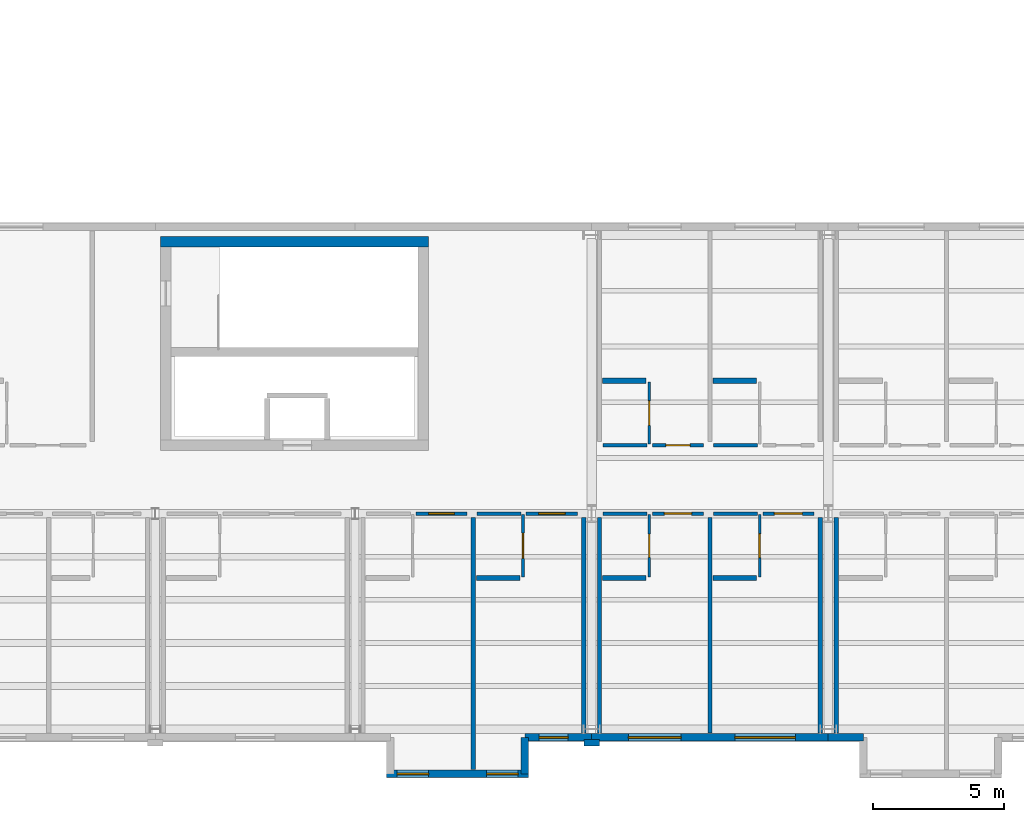
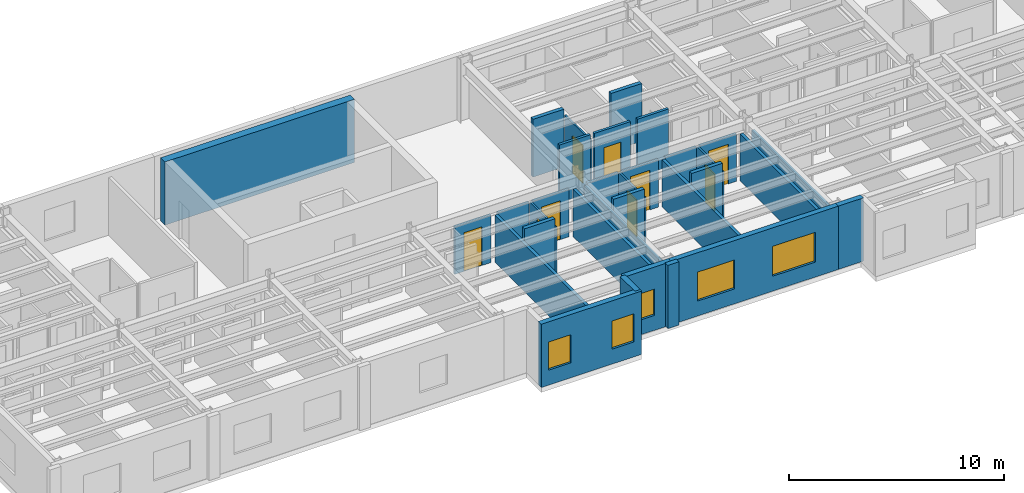
# One storey, part 13 of 27: 32 walls, 9 doors, 5 windows, 14 openings.
"""IFC4 building model written with IfcOpenShell, lengths in metres."""

from ifc_helpers import new_model, si_unit, direction, frame, frame_2d, origin, place, context, subcontext, project, spatial, rectangle, extrude, material, layer, layer_set, type_object, element, fill, save


model = new_model("IFC4")

# Units and contexts
model_context = context("Model", 3, precision=1e-05, world=origin(), true_north=direction((0.0, 1.0)))
body_context = subcontext(model_context, "Body", "Model", "MODEL_VIEW")
ifc_project = project(units=[si_unit("LENGTHUNIT", "METRE"), si_unit("AREAUNIT", "SQUARE_METRE"), si_unit("VOLUMEUNIT", "CUBIC_METRE"), si_unit("PLANEANGLEUNIT", "RADIAN"), si_unit("MASSUNIT", "GRAM", prefix="KILO")], contexts=[model_context])

# Site, building, storey
site_placement = place(None, origin())
site = spatial("IfcSite", under=ifc_project, at=site_placement, CompositionType="ELEMENT")
building_placement = place(site_placement, origin())
building = spatial("IfcBuilding", under=site, at=building_placement, Name="Sollismere Congress Hotel", CompositionType="ELEMENT")
storey_placement = place(building_placement, frame((0.0, 0.0, 27.0)))
storey = spatial("IfcBuildingStorey", under=building, at=storey_placement, Name="L06", CompositionType="ELEMENT", Elevation=27.0)

# Wall, opening, window
ifc_material_1 = material(Name="Colorado Buff Sandstone Rainscreen on Insulated Backup", Category="masonry")
ifc_layer_1 = layer(ifc_material_1, 0.284912109375, Name="Colorado Buff Sandstone Rainscreen on Insulated Backup")
ifc_layer_set_1 = layer_set([ifc_layer_1], Name="Colorado Buff Sandstone Rainscreen on Insulated Backup")
wall_type_1 = type_object("IfcWallType", Name="WL-EXT285", PredefinedType="STANDARD", material=ifc_layer_set_1)
wall_1_placement = place(storey_placement, frame((64.4599609375, -0.31005859375, 0.0), z_axis=(0.0, 0.0, 1.0), x_axis=(1.0, 0.0, 0.0)))
wall_1 = element("IfcWall", 1, at=wall_1_placement, inside=storey, type_object=wall_type_1, Name="Exterior wall EW-L06-658", PredefinedType="STANDARD", context=body_context, shape_type="SweptSolid", body=[
    extrude(rectangle(XDim=2.5400390625, YDim=0.284912109375, at=frame_2d((1.27001953125, 0.0))), origin(), (0.0, 0.0, 1.0), 3.60009765625),
])
opening_1_placement = place(wall_1_placement, frame((0.544921875, 0.0, 0.85009765625)))
opening_1 = element("IfcOpeningElement", 2, at=opening_1_placement, cuts=wall_1, Name="Opening W-L06-488", PredefinedType="OPENING", context=body_context, shape_type="SweptSolid", body=[
    extrude(rectangle(XDim=1.10009765625, YDim=1.5, at=frame_2d((0.550048828125, 0.75))), frame((0.0, 0.15234375, 0.0), z_axis=(0.0, -1.0, 0.0), x_axis=(1.0, 0.0, 0.0)), (0.0, 0.0, 1.0), 0.304931640625),
])
ifc_material_2 = material(Name="Thermally Broken Bronze Aluminum & Low-E Glass", Category="aluminium")
window_type_1 = type_object("IfcWindowType", Name="WN-P110x150", PartitioningType="SINGLE_PANEL", PredefinedType="WINDOW", material=ifc_material_2)
window_1_placement = place(opening_1_placement, origin())
window_1 = element("IfcWindow", 3, at=window_1_placement, inside=storey, type_object=window_type_1, Name="WIN-W-L06-488", OverallHeight=1.5, OverallWidth=1.10009765625, PartitioningType="SINGLE_PANEL", PredefinedType="WINDOW", context=body_context, shape_type="SweptSolid", body=[
    extrude(rectangle(XDim=1.10009765625, YDim=1.5, at=frame_2d((0.550048828125, 0.75))), frame((0.0, 0.030029296875, 0.0), z_axis=(0.0, -1.0, 0.0), x_axis=(1.0, 0.0, 0.0)), (0.0, 0.0, 1.0), 0.06005859375),
])
fill(opening_1, window_1)

# Wall, openings, windows
wall_2_placement = place(storey_placement, frame((59.199951171875, -1.699951171875, 0.0), z_axis=(0.0, 0.0, 1.0), x_axis=(1.0, 0.0, 0.0)))
wall_2 = element("IfcWall", 4, at=wall_2_placement, inside=storey, type_object=wall_type_1, Name="Exterior wall EW-L06-659", PredefinedType="STANDARD", context=body_context, shape_type="SweptSolid", body=[
    extrude(rectangle(XDim=5.400146484375, YDim=0.284912109375, at=frame_2d((2.7001953125, 0.0))), origin(), (0.0, 0.0, 1.0), 3.60009765625),
])
opening_2_placement = place(wall_2_placement, frame((0.39990234375, 0.0, 0.85009765625)))
opening_2 = element("IfcOpeningElement", 5, at=opening_2_placement, cuts=wall_2, Name="Opening W-L06-489", PredefinedType="OPENING", context=body_context, shape_type="SweptSolid", body=[
    extrude(rectangle(XDim=1.199951171875, YDim=1.60009765625, at=frame_2d((0.60009765625, 0.800048828125))), frame((0.0, 0.15234375, 0.0), z_axis=(0.0, -1.0, 0.0), x_axis=(1.0, 0.0, 0.0)), (0.0, 0.0, 1.0), 0.304931640625),
])
opening_3_placement = place(wall_2_placement, frame((3.800048828125, 0.0, 0.85009765625)))
opening_3 = element("IfcOpeningElement", 6, at=opening_3_placement, cuts=wall_2, Name="Opening W-L06-490", PredefinedType="OPENING", context=body_context, shape_type="SweptSolid", body=[
    extrude(rectangle(XDim=1.199951171875, YDim=1.60009765625, at=frame_2d((0.60009765625, 0.800048828125))), frame((0.0, 0.15234375, 0.0), z_axis=(0.0, -1.0, 0.0), x_axis=(1.0, 0.0, 0.0)), (0.0, 0.0, 1.0), 0.304931640625),
])
window_type_2 = type_object("IfcWindowType", Name="WN-P120x160", PartitioningType="SINGLE_PANEL", PredefinedType="WINDOW", material=ifc_material_2)
window_2_placement = place(opening_2_placement, origin())
window_2 = element("IfcWindow", 7, at=window_2_placement, inside=storey, type_object=window_type_2, Name="WIN-W-L06-489", OverallHeight=1.60009765625, OverallWidth=1.199951171875, PartitioningType="SINGLE_PANEL", PredefinedType="WINDOW", context=body_context, shape_type="SweptSolid", body=[
    extrude(rectangle(XDim=1.199951171875, YDim=1.60009765625, at=frame_2d((0.60009765625, 0.800048828125))), frame((0.0, 0.030029296875, 0.0), z_axis=(0.0, -1.0, 0.0), x_axis=(1.0, 0.0, 0.0)), (0.0, 0.0, 1.0), 0.06005859375),
])
fill(opening_2, window_2)
window_3_placement = place(opening_3_placement, origin())
window_3 = element("IfcWindow", 8, at=window_3_placement, inside=storey, type_object=window_type_2, Name="WIN-W-L06-490", OverallHeight=1.60009765625, OverallWidth=1.199951171875, PartitioningType="SINGLE_PANEL", PredefinedType="WINDOW", context=body_context, shape_type="SweptSolid", body=[
    extrude(rectangle(XDim=1.199951171875, YDim=1.60009765625, at=frame_2d((0.60009765625, 0.800048828125))), frame((0.0, 0.030029296875, 0.0), z_axis=(0.0, -1.0, 0.0), x_axis=(1.0, 0.0, 0.0)), (0.0, 0.0, 1.0), 0.06005859375),
])
fill(opening_3, window_3)

# Wall
wall_3_placement = place(storey_placement, frame((64.4599609375, -1.699951171875, 0.0), z_axis=(0.0, 0.0, 1.0), x_axis=(0.0, 1.0, 0.0)))
element("IfcWall", 9, at=wall_3_placement, inside=storey, type_object=wall_type_1, Name="Exterior wall EW-L06-661", PredefinedType="STANDARD", context=body_context, shape_type="SweptSolid", body=[
    extrude(rectangle(XDim=1.389892578125, YDim=0.284912109375, at=frame_2d((0.69482421875, 0.0))), origin(), (0.0, 0.0, 1.0), 3.60009765625),
])

# Wall, openings, windows
wall_4_placement = place(storey_placement, frame((67.0, -0.31005859375, 0.0), z_axis=(0.0, 0.0, 1.0), x_axis=(1.0, 0.0, 0.0)))
wall_4 = element("IfcWall", 10, at=wall_4_placement, inside=storey, type_object=wall_type_1, Name="Exterior wall EW-L06-662", PredefinedType="STANDARD", context=body_context, shape_type="SweptSolid", body=[
    extrude(rectangle(XDim=9.0, YDim=0.284912109375, at=frame_2d((4.5, 0.0))), origin(), (0.0, 0.0, 1.0), 3.60009765625),
])
opening_4_placement = place(wall_4_placement, frame((1.39990234375, 0.0, 0.85009765625)))
opening_4 = element("IfcOpeningElement", 11, at=opening_4_placement, cuts=wall_4, Name="Opening W-L06-491", PredefinedType="OPENING", context=body_context, shape_type="SweptSolid", body=[
    extrude(rectangle(XDim=2.0, YDim=1.64990234375, at=frame_2d((1.0, 0.824951171875))), frame((0.0, 0.15234375, 0.0), z_axis=(0.0, -1.0, 0.0), x_axis=(1.0, 0.0, 0.0)), (0.0, 0.0, 1.0), 0.304931640625),
])
opening_5_placement = place(wall_4_placement, frame((5.449951171875, 0.0, 0.85009765625)))
opening_5 = element("IfcOpeningElement", 12, at=opening_5_placement, cuts=wall_4, Name="Opening W-L06-492", PredefinedType="OPENING", context=body_context, shape_type="SweptSolid", body=[
    extrude(rectangle(XDim=2.300048828125, YDim=1.699951171875, at=frame_2d((1.14990234375, 0.85009765625))), frame((0.0, 0.15234375, 0.0), z_axis=(0.0, -1.0, 0.0), x_axis=(1.0, 0.0, 0.0)), (0.0, 0.0, 1.0), 0.304931640625),
])
window_type_3 = type_object("IfcWindowType", Name="WN-P200x165", PartitioningType="SINGLE_PANEL", PredefinedType="WINDOW", material=ifc_material_2)
window_4_placement = place(opening_4_placement, origin())
window_4 = element("IfcWindow", 13, at=window_4_placement, inside=storey, type_object=window_type_3, Name="WIN-W-L06-491", OverallHeight=1.64990234375, OverallWidth=2.0, PartitioningType="SINGLE_PANEL", PredefinedType="WINDOW", context=body_context, shape_type="SweptSolid", body=[
    extrude(rectangle(XDim=2.0, YDim=1.64990234375, at=frame_2d((1.0, 0.824951171875))), frame((0.0, 0.030029296875, 0.0), z_axis=(0.0, -1.0, 0.0), x_axis=(1.0, 0.0, 0.0)), (0.0, 0.0, 1.0), 0.06005859375),
])
fill(opening_4, window_4)
window_type_4 = type_object("IfcWindowType", Name="WN-P230x170", PartitioningType="SINGLE_PANEL", PredefinedType="WINDOW", material=ifc_material_2)
window_5_placement = place(opening_5_placement, origin())
window_5 = element("IfcWindow", 14, at=window_5_placement, inside=storey, type_object=window_type_4, Name="WIN-W-L06-492", OverallHeight=1.699951171875, OverallWidth=2.300048828125, PartitioningType="SINGLE_PANEL", PredefinedType="WINDOW", context=body_context, shape_type="SweptSolid", body=[
    extrude(rectangle(XDim=2.300048828125, YDim=1.699951171875, at=frame_2d((1.14990234375, 0.85009765625))), frame((0.0, 0.030029296875, 0.0), z_axis=(0.0, -1.0, 0.0), x_axis=(1.0, 0.0, 0.0)), (0.0, 0.0, 1.0), 0.06005859375),
])
fill(opening_5, window_5)

# Walls
wall_5_placement = place(storey_placement, frame((76.0, -0.31005859375, 0.0), z_axis=(0.0, 0.0, 1.0), x_axis=(1.0, 0.0, 0.0)))
element("IfcWall", 15, at=wall_5_placement, inside=storey, type_object=wall_type_1, Name="Exterior wall EW-L06-664", PredefinedType="STANDARD", context=body_context, shape_type="SweptSolid", body=[
    extrude(rectangle(XDim=1.340087890625, YDim=0.284912109375, at=frame_2d((0.669921875, 0.0))), origin(), (0.0, 0.0, 1.0), 3.60009765625),
])
ifc_material_3 = material(Name="Carved Travertine Pilaster & Frieze Assembly", Category="masonry")
ifc_layer_2 = layer(ifc_material_3, 0.260009765625, Name="Carved Travertine Pilaster & Frieze Assembly")
ifc_layer_set_2 = layer_set([ifc_layer_2], Name="Carved Travertine Pilaster & Frieze Assembly")
wall_type_2 = type_object("IfcWallType", Name="WL-PIL280", PredefinedType="ELEMENTEDWALL", material=ifc_layer_set_2)
wall_6_placement = place(storey_placement, frame((66.699951171875, -0.52001953125, 0.0), z_axis=(0.0, 0.0, 1.0), x_axis=(1.0, 0.0, 0.0)))
element("IfcWall", 16, at=wall_6_placement, inside=storey, type_object=wall_type_2, Name="Exterior wall EW-L06-663", PredefinedType="ELEMENTEDWALL", context=body_context, shape_type="SweptSolid", body=[
    extrude(rectangle(XDim=0.60009765625, YDim=0.260009765625, at=frame_2d((0.300048828125, 0.0))), origin(), (0.0, 0.0, 1.0), 3.60009765625),
])
ifc_material_4 = material(Name="Moisture-Resistant Shaft Gypsum Assembly")
ifc_layer_3 = layer(ifc_material_4, 0.199951171875, Name="Moisture-Resistant Shaft Gypsum Assembly")
ifc_layer_set_3 = layer_set([ifc_layer_3], Name="Moisture-Resistant Shaft Gypsum Assembly")
wall_type_3 = type_object("IfcWallType", Name="WL-PLM200", PredefinedType="PLUMBINGWALL", material=ifc_layer_set_3)
wall_7_placement = place(storey_placement, frame((62.6201171875, 5.75, 0.0), z_axis=(0.0, 0.0, 1.0), x_axis=(1.0, 0.0, 0.0)))
element("IfcWall", 17, at=wall_7_placement, inside=storey, type_object=wall_type_3, Name="Interior wall IW-L06-2016", PredefinedType="PLUMBINGWALL", context=body_context, shape_type="SweptSolid", body=[
    extrude(rectangle(XDim=1.64990234375, YDim=0.199951171875, at=frame_2d((0.824951171875, 0.0))), origin(), (0.0, 0.0, 1.0), 3.2900390625),
])
wall_8_placement = place(storey_placement, frame((67.419921875, 5.75, 0.0), z_axis=(0.0, 0.0, 1.0), x_axis=(1.0, 0.0, 0.0)))
element("IfcWall", 18, at=wall_8_placement, inside=storey, type_object=wall_type_3, Name="Interior wall IW-L06-2022", PredefinedType="PLUMBINGWALL", context=body_context, shape_type="SweptSolid", body=[
    extrude(rectangle(XDim=1.650146484375, YDim=0.199951171875, at=frame_2d((0.8251953125, 0.0))), origin(), (0.0, 0.0, 1.0), 3.2900390625),
])
wall_9_placement = place(storey_placement, frame((71.6201171875, 5.75, 0.0), z_axis=(0.0, 0.0, 1.0), x_axis=(1.0, 0.0, 0.0)))
element("IfcWall", 19, at=wall_9_placement, inside=storey, type_object=wall_type_3, Name="Interior wall IW-L06-2027", PredefinedType="PLUMBINGWALL", context=body_context, shape_type="SweptSolid", body=[
    extrude(rectangle(XDim=1.64990234375, YDim=0.199951171875, at=frame_2d((0.824951171875, 0.0))), origin(), (0.0, 0.0, 1.0), 3.2900390625),
])
wall_10_placement = place(storey_placement, frame((67.419921875, 13.25, 0.0), z_axis=(0.0, 0.0, 1.0), x_axis=(1.0, 0.0, 0.0)))
element("IfcWall", 20, at=wall_10_placement, inside=storey, type_object=wall_type_3, Name="Interior wall IW-L06-2033", PredefinedType="PLUMBINGWALL", context=body_context, shape_type="SweptSolid", body=[
    extrude(rectangle(XDim=1.650146484375, YDim=0.199951171875, at=frame_2d((0.8251953125, 0.0))), origin(), (0.0, 0.0, 1.0), 3.2900390625),
])
wall_11_placement = place(storey_placement, frame((71.6201171875, 13.25, 0.0), z_axis=(0.0, 0.0, 1.0), x_axis=(1.0, 0.0, 0.0)))
element("IfcWall", 21, at=wall_11_placement, inside=storey, type_object=wall_type_3, Name="Interior wall IW-L06-2038", PredefinedType="PLUMBINGWALL", context=body_context, shape_type="SweptSolid", body=[
    extrude(rectangle(XDim=1.64990234375, YDim=0.199951171875, at=frame_2d((0.824951171875, 0.0))), origin(), (0.0, 0.0, 1.0), 3.2900390625),
])

# Wall, opening, door
ifc_material_5 = material(Name="Moisture-Resistant Gypsum Partition")
ifc_layer_4 = layer(ifc_material_5, 0.10009765625, Name="Moisture-Resistant Gypsum Partition")
ifc_layer_set_4 = layer_set([ifc_layer_4], Name="Moisture-Resistant Gypsum Partition")
wall_type_4 = type_object("IfcWallType", Name="WL-PRT100", PredefinedType="PARTITIONING", material=ifc_layer_set_4)
wall_12_placement = place(storey_placement, frame((64.389892578125, 5.7900390625, 0.0), z_axis=(0.0, 0.0, 1.0), x_axis=(0.0, 1.0, 0.0)))
wall_12 = element("IfcWall", 22, at=wall_12_placement, inside=storey, type_object=wall_type_4, Name="Interior wall IW-L06-2015", PredefinedType="PARTITIONING", context=body_context, shape_type="SweptSolid", body=[
    extrude(rectangle(XDim=2.369873046875, YDim=0.10009765625, at=frame_2d((1.18505859375, 0.0))), origin(), (0.0, 0.0, 1.0), 2.702880859375),
])
opening_6_placement = place(wall_12_placement, frame((0.7080078125, 0.0, 0.0)))
opening_6 = element("IfcOpeningElement", 23, at=opening_6_placement, cuts=wall_12, Name="Opening D-L06-0711", PredefinedType="OPENING", context=body_context, shape_type="SweptSolid", body=[
    extrude(rectangle(XDim=0.955078125, YDim=2.219970703125, at=frame_2d((0.4775390625, 1.10986328125))), frame((0.0, 0.06005859375, 0.0), z_axis=(0.0, -1.0, 0.0), x_axis=(1.0, 0.0, 0.0)), (0.0, 0.0, 1.0), 0.1201171875),
])
ifc_material_6 = material(Name="Moisture-Sealed Timber Bathroom Door", Category="wood")
door_type_1 = type_object("IfcDoorType", Name="DR-BT08", OperationType="NOTDEFINED", PredefinedType="DOOR", material=ifc_material_6)
door_1_placement = place(opening_6_placement, origin())
door_1 = element("IfcDoor", 24, at=door_1_placement, inside=storey, type_object=door_type_1, Name="En-suite bathroom door D-L06-0711", OperationType="SINGLE_SWING_RIGHT", OverallHeight=2.219970703125, OverallWidth=0.955078125, PredefinedType="DOOR", context=body_context, shape_type="SweptSolid", body=[
    extrude(rectangle(XDim=0.955078125, YDim=2.219970703125, at=frame_2d((0.4775390625, 1.10986328125))), frame((0.0, 0.02490234375, 0.0), z_axis=(0.0, -1.0, 0.0), x_axis=(1.0, 0.0, 0.0)), (0.0, 0.0, 1.0), 0.050048828125),
])
fill(opening_6, door_1)

wall_13_placement = place(storey_placement, frame((69.18994140625, 5.7900390625, 0.0), z_axis=(0.0, 0.0, 1.0), x_axis=(0.0, 1.0, 0.0)))
wall_13 = element("IfcWall", 25, at=wall_13_placement, inside=storey, type_object=wall_type_4, Name="Interior wall IW-L06-2021", PredefinedType="PARTITIONING", context=body_context, shape_type="SweptSolid", body=[
    extrude(rectangle(XDim=2.369873046875, YDim=0.10009765625, at=frame_2d((1.18505859375, 0.0))), origin(), (0.0, 0.0, 1.0), 2.702880859375),
])
opening_7_placement = place(wall_13_placement, frame((0.7451171875, 0.0, 0.0)))
opening_7 = element("IfcOpeningElement", 26, at=opening_7_placement, cuts=wall_13, Name="Opening D-L06-0713", PredefinedType="OPENING", context=body_context, shape_type="SweptSolid", body=[
    extrude(rectangle(XDim=0.8798828125, YDim=2.10009765625, at=frame_2d((0.43994140625, 1.050048828125))), frame((0.0, 0.06005859375, 0.0), z_axis=(0.0, -1.0, 0.0), x_axis=(1.0, 0.0, 0.0)), (0.0, 0.0, 1.0), 0.1201171875),
])
door_type_2 = type_object("IfcDoorType", Name="DR-BT01", OperationType="NOTDEFINED", PredefinedType="DOOR", material=ifc_material_6)
door_2_placement = place(opening_7_placement, origin())
door_2 = element("IfcDoor", 27, at=door_2_placement, inside=storey, type_object=door_type_2, Name="En-suite bathroom door D-L06-0713", OperationType="SINGLE_SWING_RIGHT", OverallHeight=2.10009765625, OverallWidth=0.8798828125, PredefinedType="DOOR", context=body_context, shape_type="SweptSolid", body=[
    extrude(rectangle(XDim=0.8798828125, YDim=2.10009765625, at=frame_2d((0.43994140625, 1.050048828125))), frame((0.0, 0.02490234375, 0.0), z_axis=(0.0, -1.0, 0.0), x_axis=(1.0, 0.0, 0.0)), (0.0, 0.0, 1.0), 0.050048828125),
])
fill(opening_7, door_2)

wall_14_placement = place(storey_placement, frame((73.389892578125, 5.7900390625, 0.0), z_axis=(0.0, 0.0, 1.0), x_axis=(0.0, 1.0, 0.0)))
wall_14 = element("IfcWall", 28, at=wall_14_placement, inside=storey, type_object=wall_type_4, Name="Interior wall IW-L06-2026", PredefinedType="PARTITIONING", context=body_context, shape_type="SweptSolid", body=[
    extrude(rectangle(XDim=2.369873046875, YDim=0.10009765625, at=frame_2d((1.18505859375, 0.0))), origin(), (0.0, 0.0, 1.0), 2.702880859375),
])
opening_8_placement = place(wall_14_placement, frame((0.73291015625, 0.0, 0.0)))
opening_8 = element("IfcOpeningElement", 29, at=opening_8_placement, cuts=wall_14, Name="Opening D-L06-0715", PredefinedType="OPENING", context=body_context, shape_type="SweptSolid", body=[
    extrude(rectangle(XDim=0.905029296875, YDim=2.10009765625, at=frame_2d((0.45263671875, 1.050048828125))), frame((0.0, 0.06005859375, 0.0), z_axis=(0.0, -1.0, 0.0), x_axis=(1.0, 0.0, 0.0)), (0.0, 0.0, 1.0), 0.1201171875),
])
door_type_3 = type_object("IfcDoorType", Name="DR-BT02", OperationType="NOTDEFINED", PredefinedType="DOOR", material=ifc_material_6)
door_3_placement = place(opening_8_placement, origin())
door_3 = element("IfcDoor", 30, at=door_3_placement, inside=storey, type_object=door_type_3, Name="En-suite bathroom door D-L06-0715", OperationType="SINGLE_SWING_RIGHT", OverallHeight=2.10009765625, OverallWidth=0.905029296875, PredefinedType="DOOR", context=body_context, shape_type="SweptSolid", body=[
    extrude(rectangle(XDim=0.905029296875, YDim=2.10009765625, at=frame_2d((0.45263671875, 1.050048828125))), frame((0.0, 0.02490234375, 0.0), z_axis=(0.0, -1.0, 0.0), x_axis=(1.0, 0.0, 0.0)), (0.0, 0.0, 1.0), 0.050048828125),
])
fill(opening_8, door_3)

wall_15_placement = place(storey_placement, frame((69.18994140625, 10.840087890625, 0.0), z_axis=(0.0, 0.0, 1.0), x_axis=(0.0, 1.0, 0.0)))
wall_15 = element("IfcWall", 31, at=wall_15_placement, inside=storey, type_object=wall_type_4, Name="Interior wall IW-L06-2032", PredefinedType="PARTITIONING", context=body_context, shape_type="SweptSolid", body=[
    extrude(rectangle(XDim=2.369873046875, YDim=0.10009765625, at=frame_2d((1.18505859375, 0.0))), origin(), (0.0, 0.0, 1.0), 2.89794921875),
])
opening_9_placement = place(wall_15_placement, frame((0.719970703125, 0.0, 0.0)))
opening_9 = element("IfcOpeningElement", 32, at=opening_9_placement, cuts=wall_15, Name="Opening D-L06-0717", PredefinedType="OPENING", context=body_context, shape_type="SweptSolid", body=[
    extrude(rectangle(XDim=0.929931640625, YDim=2.139892578125, at=frame_2d((0.46484375, 1.06982421875))), frame((0.0, 0.06005859375, 0.0), z_axis=(0.0, -1.0, 0.0), x_axis=(1.0, 0.0, 0.0)), (0.0, 0.0, 1.0), 0.1201171875),
])
door_type_4 = type_object("IfcDoorType", Name="DR-BT03", OperationType="NOTDEFINED", PredefinedType="DOOR", material=ifc_material_6)
door_4_placement = place(opening_9_placement, origin())
door_4 = element("IfcDoor", 33, at=door_4_placement, inside=storey, type_object=door_type_4, Name="En-suite bathroom door D-L06-0717", OperationType="SINGLE_SWING_RIGHT", OverallHeight=2.139892578125, OverallWidth=0.929931640625, PredefinedType="DOOR", context=body_context, shape_type="SweptSolid", body=[
    extrude(rectangle(XDim=0.929931640625, YDim=2.139892578125, at=frame_2d((0.46484375, 1.06982421875))), frame((0.0, 0.02490234375, 0.0), z_axis=(0.0, -1.0, 0.0), x_axis=(1.0, 0.0, 0.0)), (0.0, 0.0, 1.0), 0.050048828125),
])
fill(opening_9, door_4)

ifc_material_7 = material(Name="Fire-Rated Gypsum Partition")
ifc_layer_5 = layer(ifc_material_7, 0.139892578125, Name="Fire-Rated Gypsum Partition")
ifc_layer_set_5 = layer_set([ifc_layer_5], Name="Fire-Rated Gypsum Partition")
wall_type_5 = type_object("IfcWallType", Name="WL-PRT140R", PredefinedType="PARTITIONING", material=ifc_layer_set_5)
wall_16_placement = place(storey_placement, frame((60.31005859375, 8.199951171875, 0.0), z_axis=(0.0, 0.0, 1.0), x_axis=(1.0, 0.0, 0.0)))
wall_16 = element("IfcWall", 34, at=wall_16_placement, inside=storey, type_object=wall_type_5, Name="Interior wall IW-L06-2007", PredefinedType="PARTITIONING", context=body_context, shape_type="SweptSolid", body=[
    extrude(rectangle(XDim=1.949951171875, YDim=0.139892578125, at=frame_2d((0.97509765625, 0.0))), origin(), (0.0, 0.0, 1.0), 2.702880859375),
])
opening_10_placement = place(wall_16_placement, frame((0.485107421875, 0.0, 0.0)))
opening_10 = element("IfcOpeningElement", 35, at=opening_10_placement, cuts=wall_16, Name="Opening D-L06-0708", PredefinedType="OPENING", context=body_context, shape_type="SweptSolid", body=[
    extrude(rectangle(XDim=0.97998046875, YDim=2.199951171875, at=frame_2d((0.489990234375, 1.10009765625))), frame((0.0, 0.079833984375, 0.0), z_axis=(0.0, -1.0, 0.0), x_axis=(1.0, 0.0, 0.0)), (0.0, 0.0, 1.0), 0.159912109375),
])
ifc_material_8 = material(Name="Solid-Core Acoustic Walnut Guestroom Entry Door")
door_type_5 = type_object("IfcDoorType", Name="DR-KY03", OperationType="NOTDEFINED", PredefinedType="DOOR", material=ifc_material_8)
door_5_placement = place(opening_10_placement, origin())
door_5 = element("IfcDoor", 36, at=door_5_placement, inside=storey, type_object=door_type_5, Name="Hotel room entry door D-L06-0708", OperationType="SINGLE_SWING_LEFT", OverallHeight=2.199951171875, OverallWidth=0.97998046875, PredefinedType="DOOR", context=body_context, shape_type="SweptSolid", body=[
    extrude(rectangle(XDim=0.97998046875, YDim=2.199951171875, at=frame_2d((0.489990234375, 1.10009765625))), frame((0.0, 0.02490234375, 0.0), z_axis=(0.0, -1.0, 0.0), x_axis=(1.0, 0.0, 0.0)), (0.0, 0.0, 1.0), 0.050048828125),
])
fill(opening_10, door_5)

# Wall
wall_17_placement = place(storey_placement, frame((62.639892578125, 8.199951171875, 0.0), z_axis=(0.0, 0.0, 1.0), x_axis=(1.0, 0.0, 0.0)))
element("IfcWall", 37, at=wall_17_placement, inside=storey, type_object=wall_type_5, Name="Interior wall IW-L06-2012", PredefinedType="PARTITIONING", context=body_context, shape_type="SweptSolid", body=[
    extrude(rectangle(XDim=1.670166015625, YDim=0.139892578125, at=frame_2d((0.8349609375, 0.0))), origin(), (0.0, 0.0, 1.0), 2.702880859375),
])

# Wall, opening, door
wall_18_placement = place(storey_placement, frame((64.510009765625, 8.199951171875, 0.0), z_axis=(0.0, 0.0, 1.0), x_axis=(1.0, 0.0, 0.0)))
wall_18 = element("IfcWall", 38, at=wall_18_placement, inside=storey, type_object=wall_type_5, Name="Interior wall IW-L06-2013", PredefinedType="PARTITIONING", context=body_context, shape_type="SweptSolid", body=[
    extrude(rectangle(XDim=1.949951171875, YDim=0.139892578125, at=frame_2d((0.97509765625, 0.0))), origin(), (0.0, 0.0, 1.0), 2.702880859375),
])
opening_11_placement = place(wall_18_placement, frame((0.469970703125, 0.0, 0.0)))
opening_11 = element("IfcOpeningElement", 39, at=opening_11_placement, cuts=wall_18, Name="Opening D-L06-0710", PredefinedType="OPENING", context=body_context, shape_type="SweptSolid", body=[
    extrude(rectangle(XDim=1.010009765625, YDim=2.199951171875, at=frame_2d((0.5048828125, 1.10009765625))), frame((0.0, 0.079833984375, 0.0), z_axis=(0.0, -1.0, 0.0), x_axis=(1.0, 0.0, 0.0)), (0.0, 0.0, 1.0), 0.159912109375),
])
door_type_6 = type_object("IfcDoorType", Name="DR-KY04", OperationType="NOTDEFINED", PredefinedType="DOOR", material=ifc_material_8)
door_6_placement = place(opening_11_placement, origin())
door_6 = element("IfcDoor", 40, at=door_6_placement, inside=storey, type_object=door_type_6, Name="Hotel room entry door D-L06-0710", OperationType="SINGLE_SWING_LEFT", OverallHeight=2.199951171875, OverallWidth=1.010009765625, PredefinedType="DOOR", context=body_context, shape_type="SweptSolid", body=[
    extrude(rectangle(XDim=1.010009765625, YDim=2.199951171875, at=frame_2d((0.5048828125, 1.10009765625))), frame((0.0, 0.02490234375, 0.0), z_axis=(0.0, -1.0, 0.0), x_axis=(1.0, 0.0, 0.0)), (0.0, 0.0, 1.0), 0.050048828125),
])
fill(opening_11, door_6)

# Wall
wall_19_placement = place(storey_placement, frame((67.43994140625, 8.199951171875, 0.0), z_axis=(0.0, 0.0, 1.0), x_axis=(1.0, 0.0, 0.0)))
element("IfcWall", 41, at=wall_19_placement, inside=storey, type_object=wall_type_5, Name="Interior wall IW-L06-2017", PredefinedType="PARTITIONING", context=body_context, shape_type="SweptSolid", body=[
    extrude(rectangle(XDim=1.670166015625, YDim=0.139892578125, at=frame_2d((0.8349609375, 0.0))), origin(), (0.0, 0.0, 1.0), 2.702880859375),
])

# Wall, opening, door
wall_20_placement = place(storey_placement, frame((69.31005859375, 8.199951171875, 0.0), z_axis=(0.0, 0.0, 1.0), x_axis=(1.0, 0.0, 0.0)))
wall_20 = element("IfcWall", 42, at=wall_20_placement, inside=storey, type_object=wall_type_5, Name="Interior wall IW-L06-2018", PredefinedType="PARTITIONING", context=body_context, shape_type="SweptSolid", body=[
    extrude(rectangle(XDim=1.949951171875, YDim=0.139892578125, at=frame_2d((0.97509765625, 0.0))), origin(), (0.0, 0.0, 1.0), 2.702880859375),
])
opening_12_placement = place(wall_20_placement, frame((0.455078125, 0.0, 0.0)))
opening_12 = element("IfcOpeningElement", 43, at=opening_12_placement, cuts=wall_20, Name="Opening D-L06-0712", PredefinedType="OPENING", context=body_context, shape_type="SweptSolid", body=[
    extrude(rectangle(XDim=1.0400390625, YDim=2.25, at=frame_2d((0.52001953125, 1.125))), frame((0.0, 0.079833984375, 0.0), z_axis=(0.0, -1.0, 0.0), x_axis=(1.0, 0.0, 0.0)), (0.0, 0.0, 1.0), 0.159912109375),
])
door_type_7 = type_object("IfcDoorType", Name="DR-KY05", OperationType="NOTDEFINED", PredefinedType="DOOR", material=ifc_material_8)
door_7_placement = place(opening_12_placement, origin())
door_7 = element("IfcDoor", 44, at=door_7_placement, inside=storey, type_object=door_type_7, Name="Hotel room entry door D-L06-0712", OperationType="SINGLE_SWING_LEFT", OverallHeight=2.25, OverallWidth=1.0400390625, PredefinedType="DOOR", context=body_context, shape_type="SweptSolid", body=[
    extrude(rectangle(XDim=1.0400390625, YDim=2.25, at=frame_2d((0.52001953125, 1.125))), frame((0.0, 0.02490234375, 0.0), z_axis=(0.0, -1.0, 0.0), x_axis=(1.0, 0.0, 0.0)), (0.0, 0.0, 1.0), 0.050048828125),
])
fill(opening_12, door_7)

# Wall
wall_21_placement = place(storey_placement, frame((71.639892578125, 8.199951171875, 0.0), z_axis=(0.0, 0.0, 1.0), x_axis=(1.0, 0.0, 0.0)))
element("IfcWall", 45, at=wall_21_placement, inside=storey, type_object=wall_type_5, Name="Interior wall IW-L06-2023", PredefinedType="PARTITIONING", context=body_context, shape_type="SweptSolid", body=[
    extrude(rectangle(XDim=1.670166015625, YDim=0.139892578125, at=frame_2d((0.8349609375, 0.0))), origin(), (0.0, 0.0, 1.0), 2.702880859375),
])

# Wall, opening, door
wall_22_placement = place(storey_placement, frame((73.510009765625, 8.199951171875, 0.0), z_axis=(0.0, 0.0, 1.0), x_axis=(1.0, 0.0, 0.0)))
wall_22 = element("IfcWall", 46, at=wall_22_placement, inside=storey, type_object=wall_type_5, Name="Interior wall IW-L06-2024", PredefinedType="PARTITIONING", context=body_context, shape_type="SweptSolid", body=[
    extrude(rectangle(XDim=1.949951171875, YDim=0.139892578125, at=frame_2d((0.97509765625, 0.0))), origin(), (0.0, 0.0, 1.0), 2.702880859375),
])
opening_13_placement = place(wall_22_placement, frame((0.43994140625, 0.0, 0.0)))
opening_13 = element("IfcOpeningElement", 47, at=opening_13_placement, cuts=wall_22, Name="Opening D-L06-0714", PredefinedType="OPENING", context=body_context, shape_type="SweptSolid", body=[
    extrude(rectangle(XDim=1.070068359375, YDim=2.25, at=frame_2d((0.53515625, 1.125))), frame((0.0, 0.079833984375, 0.0), z_axis=(0.0, -1.0, 0.0), x_axis=(1.0, 0.0, 0.0)), (0.0, 0.0, 1.0), 0.159912109375),
])
door_type_8 = type_object("IfcDoorType", Name="DR-KY06", OperationType="NOTDEFINED", PredefinedType="DOOR", material=ifc_material_8)
door_8_placement = place(opening_13_placement, origin())
door_8 = element("IfcDoor", 48, at=door_8_placement, inside=storey, type_object=door_type_8, Name="Hotel room entry door D-L06-0714", OperationType="SINGLE_SWING_LEFT", OverallHeight=2.25, OverallWidth=1.070068359375, PredefinedType="DOOR", context=body_context, shape_type="SweptSolid", body=[
    extrude(rectangle(XDim=1.070068359375, YDim=2.25, at=frame_2d((0.53515625, 1.125))), frame((0.0, 0.02490234375, 0.0), z_axis=(0.0, -1.0, 0.0), x_axis=(1.0, 0.0, 0.0)), (0.0, 0.0, 1.0), 0.050048828125),
])
fill(opening_13, door_8)

# Wall
wall_23_placement = place(storey_placement, frame((67.43994140625, 10.800048828125, 0.0), z_axis=(0.0, 0.0, 1.0), x_axis=(1.0, 0.0, 0.0)))
element("IfcWall", 49, at=wall_23_placement, inside=storey, type_object=wall_type_5, Name="Interior wall IW-L06-2028", PredefinedType="PARTITIONING", context=body_context, shape_type="SweptSolid", body=[
    extrude(rectangle(XDim=1.670166015625, YDim=0.139892578125, at=frame_2d((0.8349609375, 0.0))), origin(), (0.0, 0.0, 1.0), 3.2900390625),
])

# Wall, opening, door
wall_24_placement = place(storey_placement, frame((69.31005859375, 10.800048828125, 0.0), z_axis=(0.0, 0.0, 1.0), x_axis=(1.0, 0.0, 0.0)))
wall_24 = element("IfcWall", 50, at=wall_24_placement, inside=storey, type_object=wall_type_5, Name="Interior wall IW-L06-2029", PredefinedType="PARTITIONING", context=body_context, shape_type="SweptSolid", body=[
    extrude(rectangle(XDim=1.949951171875, YDim=0.139892578125, at=frame_2d((0.97509765625, 0.0))), origin(), (0.0, 0.0, 1.0), 3.2900390625),
])
opening_14_placement = place(wall_24_placement, frame((0.514892578125, 0.0, 0.0)))
opening_14 = element("IfcOpeningElement", 51, at=opening_14_placement, cuts=wall_24, Name="Opening D-L06-0716", PredefinedType="OPENING", context=body_context, shape_type="SweptSolid", body=[
    extrude(rectangle(XDim=0.919921875, YDim=2.300048828125, at=frame_2d((0.4599609375, 1.14990234375))), frame((0.0, 0.079833984375, 0.0), z_axis=(0.0, -1.0, 0.0), x_axis=(1.0, 0.0, 0.0)), (0.0, 0.0, 1.0), 0.159912109375),
])
door_type_9 = type_object("IfcDoorType", Name="DR-KY07", OperationType="NOTDEFINED", PredefinedType="DOOR", material=ifc_material_8)
door_9_placement = place(opening_14_placement, origin())
door_9 = element("IfcDoor", 52, at=door_9_placement, inside=storey, type_object=door_type_9, Name="Hotel room entry door D-L06-0716", OperationType="SINGLE_SWING_LEFT", OverallHeight=2.300048828125, OverallWidth=0.919921875, PredefinedType="DOOR", context=body_context, shape_type="SweptSolid", body=[
    extrude(rectangle(XDim=0.919921875, YDim=2.300048828125, at=frame_2d((0.4599609375, 1.14990234375))), frame((0.0, 0.02490234375, 0.0), z_axis=(0.0, -1.0, 0.0), x_axis=(1.0, 0.0, 0.0)), (0.0, 0.0, 1.0), 0.050048828125),
])
fill(opening_14, door_9)

# Walls
wall_25_placement = place(storey_placement, frame((71.639892578125, 10.800048828125, 0.0), z_axis=(0.0, 0.0, 1.0), x_axis=(1.0, 0.0, 0.0)))
element("IfcWall", 53, at=wall_25_placement, inside=storey, type_object=wall_type_5, Name="Interior wall IW-L06-2034", PredefinedType="PARTITIONING", context=body_context, shape_type="SweptSolid", body=[
    extrude(rectangle(XDim=1.670166015625, YDim=0.139892578125, at=frame_2d((0.8349609375, 0.0))), origin(), (0.0, 0.0, 1.0), 3.2900390625),
])
ifc_material_9 = material(Name="Fire-Rated Acoustic Gypsum Partition")
ifc_layer_6 = layer(ifc_material_9, 0.1650390625, Name="Fire-Rated Acoustic Gypsum Partition")
ifc_layer_set_6 = layer_set([ifc_layer_6], Name="Fire-Rated Acoustic Gypsum Partition")
wall_type_6 = type_object("IfcWallType", Name="WL-PRT165R", PredefinedType="PARTITIONING", material=ifc_layer_set_6)
wall_26_placement = place(storey_placement, frame((62.5, -1.54248046875, 0.0), z_axis=(0.0, 0.0, 1.0), x_axis=(0.0, 1.0, 0.0)))
element("IfcWall", 54, at=wall_26_placement, inside=storey, type_object=wall_type_6, Name="Interior wall IW-L06-2009", PredefinedType="PARTITIONING", context=body_context, shape_type="SweptSolid", body=[
    extrude(rectangle(XDim=9.6025390625, YDim=0.1650390625, at=frame_2d((4.80126953125, 0.0))), origin(), (0.0, 0.0, 1.0), 2.679931640625),
])
for number, where, z_axis, x_axis, name in (
    (55, (66.699951171875, -0.152587890625, 0.0), (0.0, 0.0, 1.0), (0.0, 1.0, 0.0), "Interior wall IW-L06-2014"),
    (56, (67.300048828125, -0.152587890625, 0.0), (0.0, 0.0, 1.0), (0.0, 1.0, 0.0), "Interior wall IW-L06-2019"),
    (57, (71.5, -0.152587890625, 0.0), (0.0, 0.0, 1.0), (0.0, 1.0, 0.0), "Interior wall IW-L06-2020"),
    (58, (75.699951171875, -0.152587890625, 0.0), (0.0, 0.0, 1.0), (0.0, 1.0, 0.0), "Interior wall IW-L06-2025"),
    (59, (76.300048828125, -0.152587890625, 0.0), (0.0, 0.0, 1.0), (0.0, 1.0, 0.0), "Interior wall IW-L06-2041"),
):
    element("IfcWall", number, at=place(storey_placement, frame(where, z_axis=z_axis, x_axis=x_axis)), inside=storey, type_object=wall_type_6, Name=name, PredefinedType="PARTITIONING", context=body_context, shape_type="SweptSolid", body=[
        extrude(rectangle(XDim=8.212646484375, YDim=0.1650390625, at=frame_2d((4.1064453125, 0.0))), origin(), (0.0, 0.0, 1.0), 2.679931640625),
    ])
ifc_material_10 = material(Name="Concrete C50/60", Category="concrete")
ifc_layer_7 = layer(ifc_material_10, 0.39990234375, Name="Concrete C50/60")
ifc_layer_set_7 = layer_set([ifc_layer_7], Name="Concrete C50/60")
wall_type_7 = type_object("IfcWallType", Name="WL-SHR400", PredefinedType="SHEAR", material=ifc_layer_set_7)
wall_27_placement = place(storey_placement, frame((60.800048828125, 18.550048828125, 0.0), z_axis=(0.0, 0.0, 1.0), x_axis=(-1.0, 0.0, 0.0)))
element("IfcWall", 60, at=wall_27_placement, inside=storey, type_object=wall_type_7, Name="Interior wall IW-L06-0728", PredefinedType="SHEAR", context=body_context, shape_type="SweptSolid", body=[
    extrude(rectangle(XDim=10.199951171875, YDim=0.39990234375, at=frame_2d((5.10009765625, 0.0))), origin(), (0.0, 0.0, 1.0), 3.60009765625),
])

save(model, "model.ifc")
